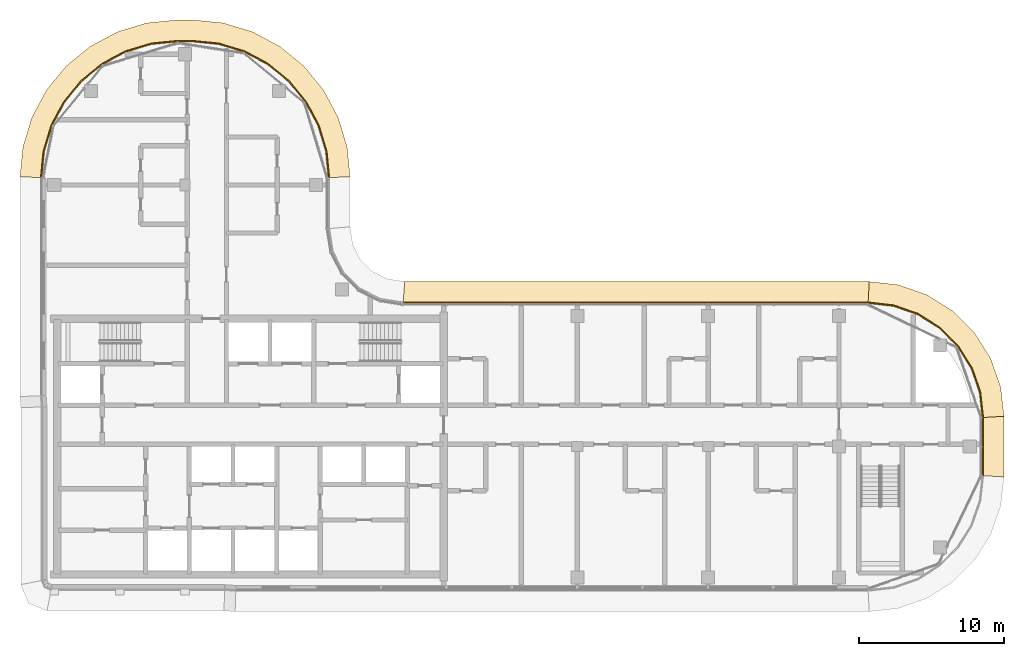
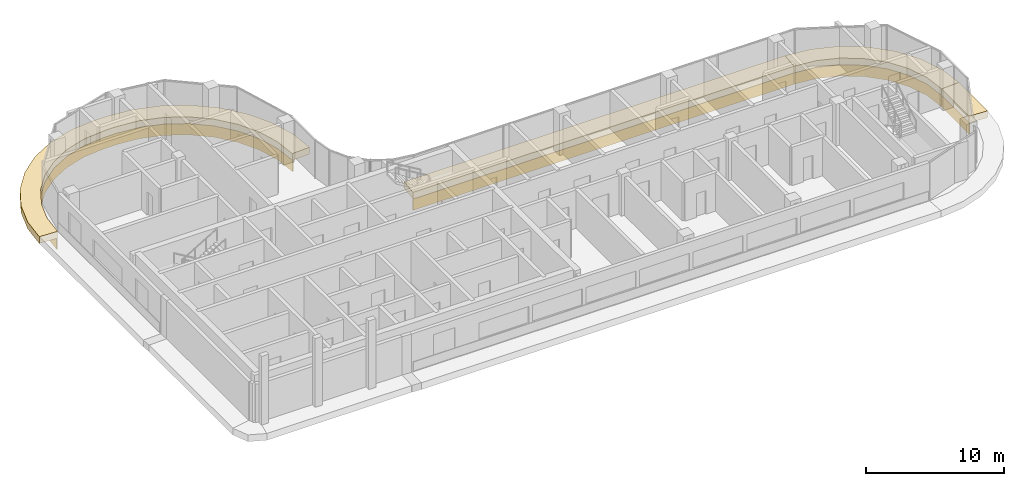
# One storey, part 22 of 22: 8 coverings.
"""IFC4 building model written with IfcOpenShell, lengths in metres."""

from ifc_helpers import new_model, si_unit, direction, frame, origin, place, context, subcontext, project, spatial, polyline, outline, extrude, material, layer, layer_set, type_object, element, save


model = new_model("IFC4")

# Units and contexts
model_context = context("Model", 3, precision=1e-05, world=origin(), true_north=direction((0.0, 1.0)))
body_context = subcontext(model_context, "Body", "Model", "MODEL_VIEW")
ifc_project = project(units=[si_unit("LENGTHUNIT", "METRE"), si_unit("AREAUNIT", "SQUARE_METRE"), si_unit("VOLUMEUNIT", "CUBIC_METRE"), si_unit("PLANEANGLEUNIT", "RADIAN"), si_unit("MASSUNIT", "GRAM", prefix="KILO")], contexts=[model_context])

# Site, building, storey
site_placement = place(None, origin())
site = spatial("IfcSite", under=ifc_project, at=site_placement, CompositionType="ELEMENT")
building_placement = place(site_placement, origin())
building = spatial("IfcBuilding", under=site, at=building_placement, Name="Ogive Portal Towers", CompositionType="ELEMENT")
storey_placement = place(building_placement, frame((0.0, 0.0, 206.89990234375)))
storey = spatial("IfcBuildingStorey", under=building, at=storey_placement, Name="L51", CompositionType="ELEMENT", Elevation=206.89990234375)

# Coverings
ifc_material = material(Name="Limestone cladding on lightweight block wall", Category="masonry")
ifc_layer_1 = layer(ifc_material, 0.080078125)
ifc_layer_set_1 = layer_set([ifc_layer_1], Name="STONE SPANDREL 80")
covering_type_1 = type_object("IfcCoveringType", Name="STONE SPANDREL 80", PredefinedType="CLADDING", material=ifc_layer_set_1)
covering_1_placement = place(storey_placement, frame((0.0, 0.0, -1.599853515625)))
element("IfcCovering", 1, at=covering_1_placement, inside=storey, type_object=covering_type_1, Name="Stone spandrel A1-F07", PredefinedType="CLADDING", context=body_context, shape_type="SweptSolid", body=[
    extrude(outline(polyline([(95.35498046875, 28.5), (95.35498046875, 32.5), (95.43505859375, 32.50439453125), (95.43505859375, 28.49560546875), (95.35498046875, 28.5)])), origin(), (0.0, 0.0, 1.0), 1.0),
])
covering_2_placement = place(storey_placement, frame((0.0, 0.0, -1.599853515625)))
element("IfcCovering", 2, at=covering_2_placement, inside=storey, type_object=covering_type_1, Name="Stone spandrel A1-F08", PredefinedType="CLADDING", context=body_context, shape_type="SweptSolid", body=[
    extrude(outline(polyline([(95.35498046875, 32.5), (95.157958984375, 34.247802734375), (94.5771484375, 35.908203125), (93.641357421875, 37.3974609375), (92.3974609375, 38.641357421875), (90.908203125, 39.5771484375), (89.247802734375, 40.157958984375), (87.5, 40.35498046875), (87.50439453125, 40.43505859375), (89.265869140625, 40.236572265625), (90.943115234375, 39.649658203125), (92.44775390625, 38.704345703125), (93.704345703125, 37.44775390625), (94.649658203125, 35.943115234375), (95.236572265625, 34.265869140625), (95.43505859375, 32.50439453125), (95.35498046875, 32.5)])), origin(), (0.0, 0.0, 1.0), 1.0),
])
covering_3_placement = place(storey_placement, frame((0.0, 0.0, -1.599853515625)))
element("IfcCovering", 3, at=covering_3_placement, inside=storey, type_object=covering_type_1, Name="Stone spandrel A1-F09", PredefinedType="CLADDING", context=body_context, shape_type="SweptSolid", body=[
    extrude(outline(polyline([(87.5, 40.35498046875), (55.5, 40.35498046875), (55.50634765625, 40.43505859375), (87.50439453125, 40.43505859375), (87.5, 40.35498046875)])), origin(), (0.0, 0.0, 1.0), 1.0),
])
covering_4_placement = place(storey_placement, frame((0.0, 0.0, -1.599853515625)))
element("IfcCovering", 4, at=covering_4_placement, inside=storey, type_object=covering_type_1, Name="Stone spandrel A1-F12", PredefinedType="CLADDING", context=body_context, shape_type="SweptSolid", body=[
    extrude(outline(polyline([(50.35498046875, 49.0), (50.17529296875, 50.824951171875), (49.642822265625, 52.580078125), (48.7783203125, 54.197265625), (47.614990234375, 55.614990234375), (46.197265625, 56.7783203125), (44.580078125, 57.642822265625), (42.824951171875, 58.17529296875), (41.0, 58.35498046875), (40.0, 58.35498046875), (38.175048828125, 58.17529296875), (36.419921875, 57.642822265625), (34.802734375, 56.7783203125), (33.385009765625, 55.614990234375), (32.2216796875, 54.197265625), (31.357177734375, 52.580078125), (30.82470703125, 50.824951171875), (30.64501953125, 49.0), (30.56494140625, 49.00390625), (30.745849609375, 50.8408203125), (31.282958984375, 52.61083984375), (32.15478515625, 54.241943359375), (33.328125, 55.671875), (34.758056640625, 56.84521484375), (36.38916015625, 57.717041015625), (38.1591796875, 58.254150390625), (39.99609375, 58.43505859375), (41.00390625, 58.43505859375), (42.8408203125, 58.254150390625), (44.61083984375, 57.717041015625), (46.241943359375, 56.84521484375), (47.671875, 55.671875), (48.84521484375, 54.241943359375), (49.717041015625, 52.61083984375), (50.254150390625, 50.8408203125), (50.43505859375, 49.00390625), (50.35498046875, 49.0)])), origin(), (0.0, 0.0, 1.0), 1.0),
])
ifc_layer_2 = layer(ifc_material, 0.60009765625)
ifc_layer_set_2 = layer_set([ifc_layer_2], Name="SUNSHADE LIP 600")
covering_type_2 = type_object("IfcCoveringType", Name="SUNSHADE LIP 600", PredefinedType="CLADDING", material=ifc_layer_set_2)
covering_5_placement = place(storey_placement, frame((0.0, 0.0, -0.599853515625)))
element("IfcCovering", 5, at=covering_5_placement, inside=storey, type_object=covering_type_2, Name="Sunshade lip A1-F07", PredefinedType="CLADDING", context=body_context, shape_type="SweptSolid", body=[
    extrude(outline(polyline([(95.35498046875, 28.5), (95.35498046875, 32.5), (96.85498046875, 32.584228515625), (96.85498046875, 28.415771484375), (95.35498046875, 28.5)])), origin(), (0.0, 0.0, 1.0), 0.599853515625),
])
covering_6_placement = place(storey_placement, frame((0.0, 0.0, -0.599853515625)))
element("IfcCovering", 6, at=covering_6_placement, inside=storey, type_object=covering_type_2, Name="Sunshade lip A1-F08", PredefinedType="CLADDING", context=body_context, shape_type="SweptSolid", body=[
    extrude(outline(polyline([(95.35498046875, 32.5), (95.157958984375, 34.247802734375), (94.5771484375, 35.908203125), (93.641357421875, 37.3974609375), (92.3974609375, 38.641357421875), (90.908203125, 39.5771484375), (89.247802734375, 40.157958984375), (87.5, 40.35498046875), (87.584228515625, 41.85498046875), (89.583740234375, 41.629638671875), (91.56298828125, 40.93701171875), (93.338623046875, 39.821533203125), (94.821533203125, 38.338623046875), (95.93701171875, 36.56298828125), (96.629638671875, 34.583740234375), (96.85498046875, 32.584228515625), (95.35498046875, 32.5)])), origin(), (0.0, 0.0, 1.0), 0.599853515625),
])
covering_7_placement = place(storey_placement, frame((0.0, 0.0, -0.599853515625)))
element("IfcCovering", 7, at=covering_7_placement, inside=storey, type_object=covering_type_2, Name="Sunshade lip A1-F09", PredefinedType="CLADDING", context=body_context, shape_type="SweptSolid", body=[
    extrude(outline(polyline([(87.5, 40.35498046875), (55.5, 40.35498046875), (55.6181640625, 41.85498046875), (87.584228515625, 41.85498046875), (87.5, 40.35498046875)])), origin(), (0.0, 0.0, 1.0), 0.599853515625),
])
covering_8_placement = place(storey_placement, frame((0.0, 0.0, -0.599853515625)))
element("IfcCovering", 8, at=covering_8_placement, inside=storey, type_object=covering_type_2, Name="Sunshade lip A1-F12", PredefinedType="CLADDING", context=body_context, shape_type="SweptSolid", body=[
    extrude(outline(polyline([(50.35498046875, 49.0), (50.17529296875, 50.824951171875), (49.642822265625, 52.580078125), (48.7783203125, 54.197265625), (47.614990234375, 55.614990234375), (46.197265625, 56.7783203125), (44.580078125, 57.642822265625), (42.824951171875, 58.17529296875), (41.0, 58.35498046875), (40.0, 58.35498046875), (38.175048828125, 58.17529296875), (36.419921875, 57.642822265625), (34.802734375, 56.7783203125), (33.385009765625, 55.614990234375), (32.2216796875, 54.197265625), (31.357177734375, 52.580078125), (30.82470703125, 50.824951171875), (30.64501953125, 49.0), (29.14501953125, 49.07373046875), (29.346435546875, 51.119140625), (29.964599609375, 53.15673828125), (30.96826171875, 55.03466796875), (32.3193359375, 56.6806640625), (33.96533203125, 58.03173828125), (35.84326171875, 59.035400390625), (37.880859375, 59.653564453125), (39.92626953125, 59.85498046875), (41.07373046875, 59.85498046875), (43.119140625, 59.653564453125), (45.15673828125, 59.035400390625), (47.03466796875, 58.03173828125), (48.6806640625, 56.6806640625), (50.03173828125, 55.03466796875), (51.035400390625, 53.15673828125), (51.653564453125, 51.119140625), (51.85498046875, 49.07373046875), (50.35498046875, 49.0)])), origin(), (0.0, 0.0, 1.0), 0.599853515625),
])

save(model, "model.ifc")
